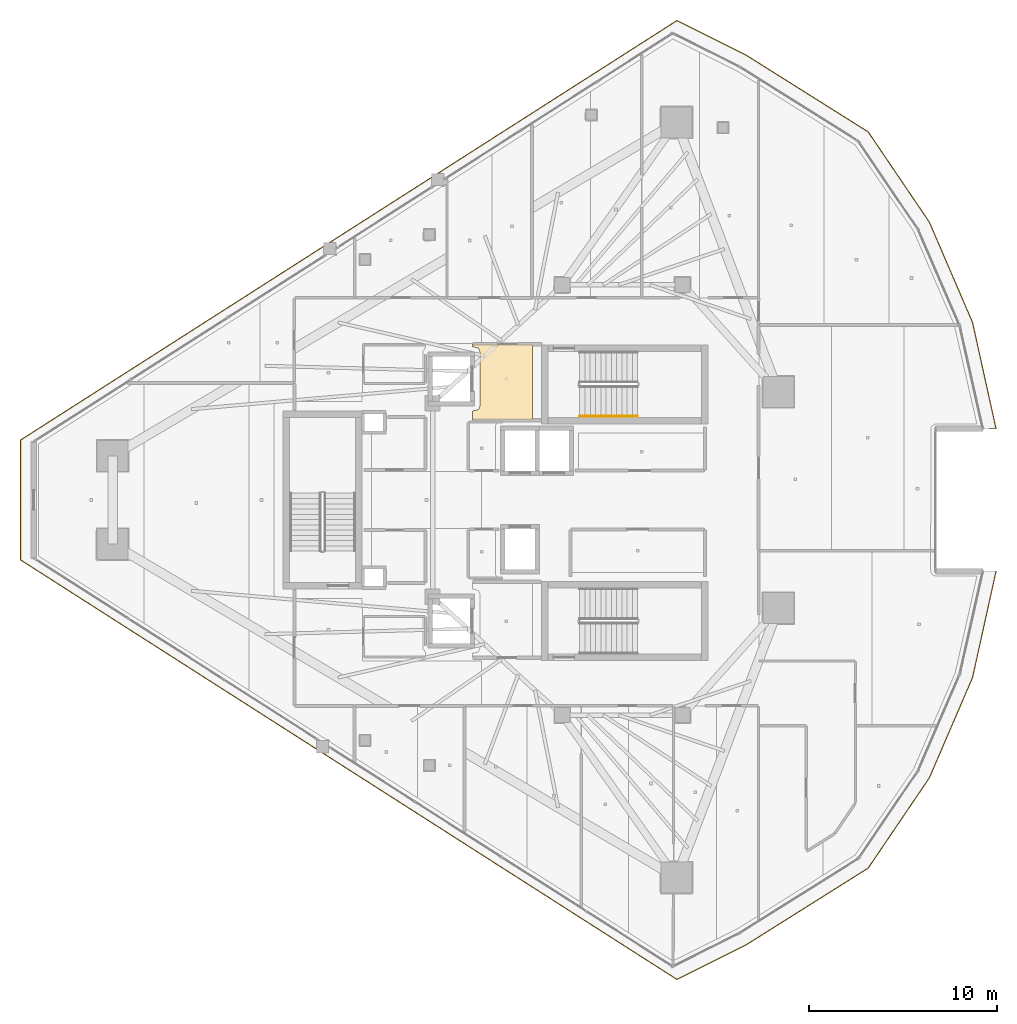
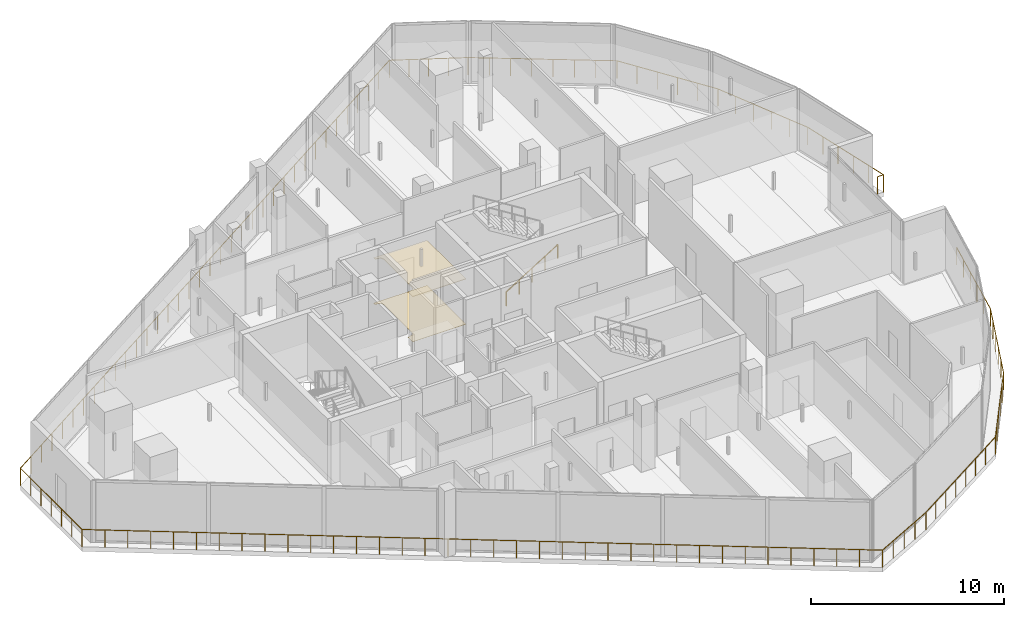
# One storey, part 31 of 33: 2 coverings, 2 railings.
"""IFC4 building model written with IfcOpenShell, lengths in metres."""

from ifc_helpers import new_model, si_unit, direction, frame, origin, origin_2d, place, context, subcontext, project, spatial, polyline, circle, outline, extrude, material, layer, layer_set, type_object, element, save


model = new_model("IFC4")

# Units and contexts
model_context = context("Model", 3, precision=1e-05, world=origin(), true_north=direction((0.0, 1.0)))
body_context = subcontext(model_context, "Body", "Model", "MODEL_VIEW")
ifc_project = project(units=[si_unit("LENGTHUNIT", "METRE"), si_unit("AREAUNIT", "SQUARE_METRE"), si_unit("VOLUMEUNIT", "CUBIC_METRE"), si_unit("PLANEANGLEUNIT", "RADIAN"), si_unit("MASSUNIT", "GRAM", prefix="KILO")], contexts=[model_context])

# Site, building, storey
site_placement = place(None, origin())
site = spatial("IfcSite", under=ifc_project, at=site_placement, CompositionType="ELEMENT")
building_placement = place(site_placement, origin())
building = spatial("IfcBuilding", under=site, at=building_placement, Name="Qorvath Tower", CompositionType="ELEMENT")
storey_placement = place(building_placement, frame((0.0, 0.0, 280.800048828125)))
storey = spatial("IfcBuildingStorey", under=building, at=storey_placement, Name="L65", CompositionType="ELEMENT", Elevation=280.800048828125)

# Coverings
ifc_material_1 = material(Name="Acoustic mineral fibre ceiling tile", Category="gypsum")
ifc_layer_1 = layer(ifc_material_1, 0.030029296875)
ifc_layer_set_1 = layer_set([ifc_layer_1], Name="COV-CEIL")
covering_type_1 = type_object("IfcCoveringType", Name="COV-CEIL", PredefinedType="CEILING", material=ifc_layer_set_1)
covering_1_placement = place(storey_placement, frame((0.0, 0.0, 2.849853515625)))
element("IfcCovering", 1, at=covering_1_placement, inside=storey, type_object=covering_type_1, Name="L65 Suspended Acoustic Ceiling 001", PredefinedType="CEILING", context=body_context, shape_type="SweptSolid", body=[
    extrude(outline(polyline([(-25.18994140625, 4.2548828125), (-25.18994140625, 8.294921875), (-28.375, 8.294921875), (-28.375, 8.159912109375), (-28.063232421875, 8.086669921875), (-27.989990234375, 7.909912109375), (-27.989990234375, 4.989990234375), (-28.063232421875, 4.813232421875), (-28.375, 4.739990234375), (-28.375, 4.2548828125), (-25.18994140625, 4.2548828125)])), origin(), (0.0, 0.0, 1.0), 0.030029296875),
])
ifc_material_2 = material(Name="Polished epoxy terrazzo flooring", Category="concrete")
ifc_layer_2 = layer(ifc_material_2, 0.02001953125)
ifc_layer_set_2 = layer_set([ifc_layer_2], Name="COV-FLOOR-TRZ")
covering_type_2 = type_object("IfcCoveringType", Name="COV-FLOOR-TRZ", PredefinedType="FLOORING", material=ifc_layer_set_2)
covering_2_placement = place(storey_placement, origin())
element("IfcCovering", 2, at=covering_2_placement, inside=storey, type_object=covering_type_2, Name="L65 Floor Finish 001", PredefinedType="FLOORING", context=body_context, shape_type="SweptSolid", body=[
    extrude(outline(polyline([(-25.18994140625, 4.2548828125), (-25.18994140625, 8.294921875), (-28.375, 8.294921875), (-28.375, 8.159912109375), (-28.063232421875, 8.086669921875), (-27.989990234375, 7.909912109375), (-27.989990234375, 4.989990234375), (-28.063232421875, 4.813232421875), (-28.375, 4.739990234375), (-28.375, 4.2548828125), (-25.18994140625, 4.2548828125)])), origin(), (0.0, 0.0, 1.0), 0.014892578125),
])

# Railings
ifc_material_3 = material(Name="Laminated safety glass and stainless steel AISI 316", Category="steel")
railing_type_1 = type_object("IfcRailingType", Name="RL-EXT-GRD", PredefinedType="GUARDRAIL", material=ifc_material_3)
railing_1_placement = place(storey_placement, frame((-0.5029296875, -3.790771484375, 0.0)))
element("IfcRailing", 3, at=railing_1_placement, inside=storey, type_object=railing_type_1, Name="Loggia Perimeter Guardrail L65-1.1", PredefinedType="GUARDRAIL", context=body_context, shape_type="SweptSolid", body=[
    extrude(circle(Radius=0.02392578125, at=origin_2d()), frame((0.0, 0.0, 1.09619140625), z_axis=(-0.216053085193, -0.97638161821, 0.0), x_axis=(0.97638161821, -0.216053085193, 0.0)), (0.0, 0.0, 1.0), 5.804931640625),
    extrude(circle(Radius=0.02392578125, at=origin_2d()), frame((-1.254150390625, -5.667724609375, 1.09619140625), z_axis=(-0.39549727844, -0.918467148431, 0.0), x_axis=(0.918467148431, -0.39549727844, 0.0)), (0.0, 0.0, 1.0), 5.80517578125),
    extrude(circle(Radius=0.02392578125, at=origin_2d()), frame((-3.550048828125, -10.99951171875, 1.09619140625), z_axis=(-0.560828616458, -0.827931919279, 0.0), x_axis=(0.827931919279, -0.560828616458, 0.0)), (0.0, 0.0, 1.0), 5.804931640625),
    extrude(circle(Radius=0.02392578125, at=origin_2d()), frame((-6.8056640625, -15.8056640625, 1.09619140625), z_axis=(-0.846504202931, -0.532382038033, 0.0), x_axis=(0.532382038033, -0.846504202931, 0.0)), (0.0, 0.0, 1.0), 7.71923828125),
    extrude(circle(Radius=0.02392578125, at=origin_2d()), frame((-13.340087890625, -19.915283203125, 1.09619140625), z_axis=(-0.894403239972, -0.447261494349, 0.0), x_axis=(0.447261494349, -0.894403239972, 0.0)), (0.0, 0.0, 1.0), 4.07763671875),
    extrude(circle(Radius=0.02392578125, at=origin_2d()), frame((-16.987060546875, -21.739013671875, 1.09619140625), z_axis=(-0.842602711226, 0.538535672945, 0.0), x_axis=(-0.538535672945, -0.842602711226, 0.0)), (0.0, 0.0, 1.0), 41.480224609375),
    extrude(circle(Radius=0.02392578125, at=origin_2d()), frame((-51.9384765625, 0.599609375, 1.09619140625), z_axis=(0.0, 1.0, 0.0), x_axis=(-1.0, 0.0, 0.0)), (0.0, 0.0, 1.0), 6.38232421875),
    extrude(circle(Radius=0.02392578125, at=origin_2d()), frame((-51.9384765625, 6.98193359375, 1.09619140625), z_axis=(0.842602711226, 0.538535672945, 0.0), x_axis=(-0.538535672945, 0.842602711226, 0.0)), (0.0, 0.0, 1.0), 41.480224609375),
    extrude(circle(Radius=0.02392578125, at=origin_2d()), frame((-16.987060546875, 29.320556640625, 1.09619140625), z_axis=(0.894403239972, -0.447261494349, 0.0), x_axis=(0.447261494349, 0.894403239972, 0.0)), (0.0, 0.0, 1.0), 4.07763671875),
    extrude(circle(Radius=0.02392578125, at=origin_2d()), frame((-13.340087890625, 27.496826171875, 1.09619140625), z_axis=(0.846504202931, -0.532382038033, 0.0), x_axis=(0.532382038033, 0.846504202931, 0.0)), (0.0, 0.0, 1.0), 7.71923828125),
    extrude(circle(Radius=0.02392578125, at=origin_2d()), frame((-6.8056640625, 23.38720703125, 1.09619140625), z_axis=(0.560828616458, -0.827931919279, 0.0), x_axis=(0.827931919279, 0.560828616458, 0.0)), (0.0, 0.0, 1.0), 5.804931640625),
    extrude(circle(Radius=0.02392578125, at=origin_2d()), frame((-3.550048828125, 18.5810546875, 1.09619140625), z_axis=(0.39549727844, -0.918467148431, 0.0), x_axis=(0.918467148431, 0.39549727844, 0.0)), (0.0, 0.0, 1.0), 5.80517578125),
    extrude(circle(Radius=0.02392578125, at=origin_2d()), frame((-1.254150390625, 13.249267578125, 1.09619140625), z_axis=(0.216053085193, -0.97638161821, 0.0), x_axis=(0.97638161821, 0.216053085193, 0.0)), (0.0, 0.0, 1.0), 5.804931640625),
    extrude(circle(Radius=0.02392578125, at=origin_2d()), frame((0.0, 7.58154296875, 1.09619140625), z_axis=(-1.0, 0.0, 0.0), x_axis=(0.0, -1.0, 0.0)), (0.0, 0.0, 1.0), 0.35400390625),
    extrude(circle(Radius=0.02099609375, at=origin_2d()), origin(), (0.0, 0.0, 1.0), 1.072021484375),
    extrude(circle(Radius=0.02099609375, at=origin_2d()), frame((-0.250732421875, -1.133544921875, 0.0)), (0.0, 0.0, 1.0), 1.072021484375),
    extrude(circle(Radius=0.02099609375, at=origin_2d()), frame((-0.501708984375, -2.26708984375, 0.0)), (0.0, 0.0, 1.0), 1.072021484375),
    extrude(circle(Radius=0.02099609375, at=origin_2d()), frame((-0.75244140625, -3.400634765625, 0.0)), (0.0, 0.0, 1.0), 1.072021484375),
    extrude(circle(Radius=0.02099609375, at=origin_2d()), frame((-1.00341796875, -4.5341796875, 0.0)), (0.0, 0.0, 1.0), 1.072021484375),
    extrude(circle(Radius=0.02099609375, at=origin_2d()), frame((-1.254150390625, -5.667724609375, 0.0)), (0.0, 0.0, 1.0), 1.072021484375),
    extrude(circle(Radius=0.02099609375, at=origin_2d()), frame((-1.71337890625, -6.734130859375, 0.0)), (0.0, 0.0, 1.0), 1.072021484375),
    extrude(circle(Radius=0.02099609375, at=origin_2d()), frame((-2.172607421875, -7.800537109375, 0.0)), (0.0, 0.0, 1.0), 1.072021484375),
    extrude(circle(Radius=0.02099609375, at=origin_2d()), frame((-2.631591796875, -8.86669921875, 0.0)), (0.0, 0.0, 1.0), 1.072021484375),
    extrude(circle(Radius=0.02099609375, at=origin_2d()), frame((-3.0908203125, -9.93310546875, 0.0)), (0.0, 0.0, 1.0), 1.072021484375),
    extrude(circle(Radius=0.02099609375, at=origin_2d()), frame((-3.550048828125, -10.99951171875, 0.0)), (0.0, 0.0, 1.0), 1.072021484375),
    extrude(circle(Radius=0.02099609375, at=origin_2d()), frame((-4.201171875, -11.960693359375, 0.0)), (0.0, 0.0, 1.0), 1.072021484375),
    extrude(circle(Radius=0.02099609375, at=origin_2d()), frame((-4.852294921875, -12.921875, 0.0)), (0.0, 0.0, 1.0), 1.072021484375),
    extrude(circle(Radius=0.02099609375, at=origin_2d()), frame((-5.50341796875, -13.88330078125, 0.0)), (0.0, 0.0, 1.0), 1.072021484375),
    extrude(circle(Radius=0.02099609375, at=origin_2d()), frame((-6.154541015625, -14.844482421875, 0.0)), (0.0, 0.0, 1.0), 1.072021484375),
    extrude(circle(Radius=0.02099609375, at=origin_2d()), frame((-6.8056640625, -15.8056640625, 0.0)), (0.0, 0.0, 1.0), 1.072021484375),
    extrude(circle(Radius=0.02099609375, at=origin_2d()), frame((-7.7392578125, -16.392822265625, 0.0)), (0.0, 0.0, 1.0), 1.072021484375),
    extrude(circle(Radius=0.02099609375, at=origin_2d()), frame((-8.672607421875, -16.979736328125, 0.0)), (0.0, 0.0, 1.0), 1.072021484375),
    extrude(circle(Radius=0.02099609375, at=origin_2d()), frame((-9.606201171875, -17.56689453125, 0.0)), (0.0, 0.0, 1.0), 1.072021484375),
    extrude(circle(Radius=0.02099609375, at=origin_2d()), frame((-10.53955078125, -18.154052734375, 0.0)), (0.0, 0.0, 1.0), 1.072021484375),
    extrude(circle(Radius=0.02099609375, at=origin_2d()), frame((-11.47314453125, -18.7412109375, 0.0)), (0.0, 0.0, 1.0), 1.072021484375),
    extrude(circle(Radius=0.02099609375, at=origin_2d()), frame((-12.406494140625, -19.328125, 0.0)), (0.0, 0.0, 1.0), 1.072021484375),
    extrude(circle(Radius=0.02099609375, at=origin_2d()), frame((-13.340087890625, -19.915283203125, 0.0)), (0.0, 0.0, 1.0), 1.072021484375),
    extrude(circle(Radius=0.02099609375, at=origin_2d()), frame((-14.251953125, -20.37109375, 0.0)), (0.0, 0.0, 1.0), 1.072021484375),
    extrude(circle(Radius=0.02099609375, at=origin_2d()), frame((-15.16357421875, -20.8271484375, 0.0)), (0.0, 0.0, 1.0), 1.072021484375),
    extrude(circle(Radius=0.02099609375, at=origin_2d()), frame((-16.0751953125, -21.283203125, 0.0)), (0.0, 0.0, 1.0), 1.072021484375),
    extrude(circle(Radius=0.02099609375, at=origin_2d()), frame((-16.987060546875, -21.739013671875, 0.0)), (0.0, 0.0, 1.0), 1.072021484375),
    extrude(circle(Radius=0.02099609375, at=origin_2d()), frame((-17.985595703125, -21.100830078125, 0.0)), (0.0, 0.0, 1.0), 1.072021484375),
    extrude(circle(Radius=0.02099609375, at=origin_2d()), frame((-18.984375, -20.46240234375, 0.0)), (0.0, 0.0, 1.0), 1.072021484375),
    extrude(circle(Radius=0.02099609375, at=origin_2d()), frame((-19.98291015625, -19.82421875, 0.0)), (0.0, 0.0, 1.0), 1.072021484375),
    extrude(circle(Radius=0.02099609375, at=origin_2d()), frame((-20.9814453125, -19.18603515625, 0.0)), (0.0, 0.0, 1.0), 1.072021484375),
    extrude(circle(Radius=0.02099609375, at=origin_2d()), frame((-21.980224609375, -18.5478515625, 0.0)), (0.0, 0.0, 1.0), 1.072021484375),
    extrude(circle(Radius=0.02099609375, at=origin_2d()), frame((-22.978759765625, -17.909423828125, 0.0)), (0.0, 0.0, 1.0), 1.072021484375),
    extrude(circle(Radius=0.02099609375, at=origin_2d()), frame((-23.977294921875, -17.271240234375, 0.0)), (0.0, 0.0, 1.0), 1.072021484375),
    extrude(circle(Radius=0.02099609375, at=origin_2d()), frame((-24.97607421875, -16.633056640625, 0.0)), (0.0, 0.0, 1.0), 1.072021484375),
    extrude(circle(Radius=0.02099609375, at=origin_2d()), frame((-25.974609375, -15.994873046875, 0.0)), (0.0, 0.0, 1.0), 1.072021484375),
    extrude(circle(Radius=0.02099609375, at=origin_2d()), frame((-26.97314453125, -15.3564453125, 0.0)), (0.0, 0.0, 1.0), 1.072021484375),
    extrude(circle(Radius=0.02099609375, at=origin_2d()), frame((-27.9716796875, -14.71826171875, 0.0)), (0.0, 0.0, 1.0), 1.072021484375),
    extrude(circle(Radius=0.02099609375, at=origin_2d()), frame((-28.970458984375, -14.080078125, 0.0)), (0.0, 0.0, 1.0), 1.072021484375),
    extrude(circle(Radius=0.02099609375, at=origin_2d()), frame((-29.968994140625, -13.44189453125, 0.0)), (0.0, 0.0, 1.0), 1.072021484375),
    extrude(circle(Radius=0.02099609375, at=origin_2d()), frame((-30.967529296875, -12.803466796875, 0.0)), (0.0, 0.0, 1.0), 1.072021484375),
    extrude(circle(Radius=0.02099609375, at=origin_2d()), frame((-31.96630859375, -12.165283203125, 0.0)), (0.0, 0.0, 1.0), 1.072021484375),
    extrude(circle(Radius=0.02099609375, at=origin_2d()), frame((-32.96484375, -11.527099609375, 0.0)), (0.0, 0.0, 1.0), 1.072021484375),
    extrude(circle(Radius=0.02099609375, at=origin_2d()), frame((-33.96337890625, -10.888916015625, 0.0)), (0.0, 0.0, 1.0), 1.072021484375),
    extrude(circle(Radius=0.02099609375, at=origin_2d()), frame((-34.962158203125, -10.25048828125, 0.0)), (0.0, 0.0, 1.0), 1.072021484375),
    extrude(circle(Radius=0.02099609375, at=origin_2d()), frame((-35.960693359375, -9.6123046875, 0.0)), (0.0, 0.0, 1.0), 1.072021484375),
    extrude(circle(Radius=0.02099609375, at=origin_2d()), frame((-36.959228515625, -8.97412109375, 0.0)), (0.0, 0.0, 1.0), 1.072021484375),
    extrude(circle(Radius=0.02099609375, at=origin_2d()), frame((-37.9580078125, -8.3359375, 0.0)), (0.0, 0.0, 1.0), 1.072021484375),
    extrude(circle(Radius=0.02099609375, at=origin_2d()), frame((-38.95654296875, -7.697509765625, 0.0)), (0.0, 0.0, 1.0), 1.072021484375),
    extrude(circle(Radius=0.02099609375, at=origin_2d()), frame((-39.955078125, -7.059326171875, 0.0)), (0.0, 0.0, 1.0), 1.072021484375),
    extrude(circle(Radius=0.02099609375, at=origin_2d()), frame((-40.953857421875, -6.421142578125, 0.0)), (0.0, 0.0, 1.0), 1.072021484375),
    extrude(circle(Radius=0.02099609375, at=origin_2d()), frame((-41.952392578125, -5.782958984375, 0.0)), (0.0, 0.0, 1.0), 1.072021484375),
    extrude(circle(Radius=0.02099609375, at=origin_2d()), frame((-42.950927734375, -5.14453125, 0.0)), (0.0, 0.0, 1.0), 1.072021484375),
    extrude(circle(Radius=0.02099609375, at=origin_2d()), frame((-43.949462890625, -4.50634765625, 0.0)), (0.0, 0.0, 1.0), 1.072021484375),
    extrude(circle(Radius=0.02099609375, at=origin_2d()), frame((-44.9482421875, -3.8681640625, 0.0)), (0.0, 0.0, 1.0), 1.072021484375),
    extrude(circle(Radius=0.02099609375, at=origin_2d()), frame((-45.94677734375, -3.22998046875, 0.0)), (0.0, 0.0, 1.0), 1.072021484375),
    extrude(circle(Radius=0.02099609375, at=origin_2d()), frame((-46.9453125, -2.591552734375, 0.0)), (0.0, 0.0, 1.0), 1.072021484375),
    extrude(circle(Radius=0.02099609375, at=origin_2d()), frame((-47.944091796875, -1.953369140625, 0.0)), (0.0, 0.0, 1.0), 1.072021484375),
    extrude(circle(Radius=0.02099609375, at=origin_2d()), frame((-48.942626953125, -1.315185546875, 0.0)), (0.0, 0.0, 1.0), 1.072021484375),
    extrude(circle(Radius=0.02099609375, at=origin_2d()), frame((-49.941162109375, -0.677001953125, 0.0)), (0.0, 0.0, 1.0), 1.072021484375),
    extrude(circle(Radius=0.02099609375, at=origin_2d()), frame((-50.93994140625, -0.03857421875, 0.0)), (0.0, 0.0, 1.0), 1.072021484375),
    extrude(circle(Radius=0.02099609375, at=origin_2d()), frame((-51.9384765625, 0.599609375, 0.0)), (0.0, 0.0, 1.0), 1.072021484375),
    extrude(circle(Radius=0.02099609375, at=origin_2d()), frame((-51.9384765625, 1.663330078125, 0.0)), (0.0, 0.0, 1.0), 1.072021484375),
    extrude(circle(Radius=0.02099609375, at=origin_2d()), frame((-51.9384765625, 2.72705078125, 0.0)), (0.0, 0.0, 1.0), 1.072021484375),
    extrude(circle(Radius=0.02099609375, at=origin_2d()), frame((-51.9384765625, 3.790771484375, 0.0)), (0.0, 0.0, 1.0), 1.072021484375),
    extrude(circle(Radius=0.02099609375, at=origin_2d()), frame((-51.9384765625, 4.8544921875, 0.0)), (0.0, 0.0, 1.0), 1.072021484375),
    extrude(circle(Radius=0.02099609375, at=origin_2d()), frame((-51.9384765625, 5.918212890625, 0.0)), (0.0, 0.0, 1.0), 1.072021484375),
    extrude(circle(Radius=0.02099609375, at=origin_2d()), frame((-51.9384765625, 6.98193359375, 0.0)), (0.0, 0.0, 1.0), 1.072021484375),
    extrude(circle(Radius=0.02099609375, at=origin_2d()), frame((-50.93994140625, 7.6201171875, 0.0)), (0.0, 0.0, 1.0), 1.072021484375),
    extrude(circle(Radius=0.02099609375, at=origin_2d()), frame((-49.941162109375, 8.258544921875, 0.0)), (0.0, 0.0, 1.0), 1.072021484375),
    extrude(circle(Radius=0.02099609375, at=origin_2d()), frame((-48.942626953125, 8.896728515625, 0.0)), (0.0, 0.0, 1.0), 1.072021484375),
    extrude(circle(Radius=0.02099609375, at=origin_2d()), frame((-47.944091796875, 9.534912109375, 0.0)), (0.0, 0.0, 1.0), 1.072021484375),
    extrude(circle(Radius=0.02099609375, at=origin_2d()), frame((-46.9453125, 10.173095703125, 0.0)), (0.0, 0.0, 1.0), 1.072021484375),
    extrude(circle(Radius=0.02099609375, at=origin_2d()), frame((-45.94677734375, 10.8115234375, 0.0)), (0.0, 0.0, 1.0), 1.072021484375),
    extrude(circle(Radius=0.02099609375, at=origin_2d()), frame((-44.9482421875, 11.44970703125, 0.0)), (0.0, 0.0, 1.0), 1.072021484375),
    extrude(circle(Radius=0.02099609375, at=origin_2d()), frame((-43.949462890625, 12.087890625, 0.0)), (0.0, 0.0, 1.0), 1.072021484375),
    extrude(circle(Radius=0.02099609375, at=origin_2d()), frame((-42.950927734375, 12.72607421875, 0.0)), (0.0, 0.0, 1.0), 1.072021484375),
    extrude(circle(Radius=0.02099609375, at=origin_2d()), frame((-41.952392578125, 13.364501953125, 0.0)), (0.0, 0.0, 1.0), 1.072021484375),
    extrude(circle(Radius=0.02099609375, at=origin_2d()), frame((-40.953857421875, 14.002685546875, 0.0)), (0.0, 0.0, 1.0), 1.072021484375),
    extrude(circle(Radius=0.02099609375, at=origin_2d()), frame((-39.955078125, 14.640869140625, 0.0)), (0.0, 0.0, 1.0), 1.072021484375),
    extrude(circle(Radius=0.02099609375, at=origin_2d()), frame((-38.95654296875, 15.279052734375, 0.0)), (0.0, 0.0, 1.0), 1.072021484375),
    extrude(circle(Radius=0.02099609375, at=origin_2d()), frame((-37.9580078125, 15.91748046875, 0.0)), (0.0, 0.0, 1.0), 1.072021484375),
    extrude(circle(Radius=0.02099609375, at=origin_2d()), frame((-36.959228515625, 16.5556640625, 0.0)), (0.0, 0.0, 1.0), 1.072021484375),
    extrude(circle(Radius=0.02099609375, at=origin_2d()), frame((-35.960693359375, 17.19384765625, 0.0)), (0.0, 0.0, 1.0), 1.072021484375),
    extrude(circle(Radius=0.02099609375, at=origin_2d()), frame((-34.962158203125, 17.83203125, 0.0)), (0.0, 0.0, 1.0), 1.072021484375),
    extrude(circle(Radius=0.02099609375, at=origin_2d()), frame((-33.96337890625, 18.470458984375, 0.0)), (0.0, 0.0, 1.0), 1.072021484375),
    extrude(circle(Radius=0.02099609375, at=origin_2d()), frame((-32.96484375, 19.108642578125, 0.0)), (0.0, 0.0, 1.0), 1.072021484375),
    extrude(circle(Radius=0.02099609375, at=origin_2d()), frame((-31.96630859375, 19.746826171875, 0.0)), (0.0, 0.0, 1.0), 1.072021484375),
    extrude(circle(Radius=0.02099609375, at=origin_2d()), frame((-30.967529296875, 20.385009765625, 0.0)), (0.0, 0.0, 1.0), 1.072021484375),
    extrude(circle(Radius=0.02099609375, at=origin_2d()), frame((-29.968994140625, 21.0234375, 0.0)), (0.0, 0.0, 1.0), 1.072021484375),
    extrude(circle(Radius=0.02099609375, at=origin_2d()), frame((-28.970458984375, 21.66162109375, 0.0)), (0.0, 0.0, 1.0), 1.072021484375),
    extrude(circle(Radius=0.02099609375, at=origin_2d()), frame((-27.9716796875, 22.2998046875, 0.0)), (0.0, 0.0, 1.0), 1.072021484375),
    extrude(circle(Radius=0.02099609375, at=origin_2d()), frame((-26.97314453125, 22.93798828125, 0.0)), (0.0, 0.0, 1.0), 1.072021484375),
    extrude(circle(Radius=0.02099609375, at=origin_2d()), frame((-25.974609375, 23.576416015625, 0.0)), (0.0, 0.0, 1.0), 1.072021484375),
    extrude(circle(Radius=0.02099609375, at=origin_2d()), frame((-24.97607421875, 24.214599609375, 0.0)), (0.0, 0.0, 1.0), 1.072021484375),
    extrude(circle(Radius=0.02099609375, at=origin_2d()), frame((-23.977294921875, 24.852783203125, 0.0)), (0.0, 0.0, 1.0), 1.072021484375),
    extrude(circle(Radius=0.02099609375, at=origin_2d()), frame((-22.978759765625, 25.490966796875, 0.0)), (0.0, 0.0, 1.0), 1.072021484375),
    extrude(circle(Radius=0.02099609375, at=origin_2d()), frame((-21.980224609375, 26.12939453125, 0.0)), (0.0, 0.0, 1.0), 1.072021484375),
    extrude(circle(Radius=0.02099609375, at=origin_2d()), frame((-20.9814453125, 26.767578125, 0.0)), (0.0, 0.0, 1.0), 1.072021484375),
    extrude(circle(Radius=0.02099609375, at=origin_2d()), frame((-19.98291015625, 27.40576171875, 0.0)), (0.0, 0.0, 1.0), 1.072021484375),
    extrude(circle(Radius=0.02099609375, at=origin_2d()), frame((-18.984375, 28.0439453125, 0.0)), (0.0, 0.0, 1.0), 1.072021484375),
    extrude(circle(Radius=0.02099609375, at=origin_2d()), frame((-17.985595703125, 28.682373046875, 0.0)), (0.0, 0.0, 1.0), 1.072021484375),
    extrude(circle(Radius=0.02099609375, at=origin_2d()), frame((-16.987060546875, 29.320556640625, 0.0)), (0.0, 0.0, 1.0), 1.072021484375),
    extrude(circle(Radius=0.02099609375, at=origin_2d()), frame((-16.0751953125, 28.86474609375, 0.0)), (0.0, 0.0, 1.0), 1.072021484375),
    extrude(circle(Radius=0.02099609375, at=origin_2d()), frame((-15.16357421875, 28.40869140625, 0.0)), (0.0, 0.0, 1.0), 1.072021484375),
    extrude(circle(Radius=0.02099609375, at=origin_2d()), frame((-14.251953125, 27.95263671875, 0.0)), (0.0, 0.0, 1.0), 1.072021484375),
    extrude(circle(Radius=0.02099609375, at=origin_2d()), frame((-13.340087890625, 27.496826171875, 0.0)), (0.0, 0.0, 1.0), 1.072021484375),
    extrude(circle(Radius=0.02099609375, at=origin_2d()), frame((-12.406494140625, 26.90966796875, 0.0)), (0.0, 0.0, 1.0), 1.072021484375),
    extrude(circle(Radius=0.02099609375, at=origin_2d()), frame((-11.47314453125, 26.32275390625, 0.0)), (0.0, 0.0, 1.0), 1.072021484375),
    extrude(circle(Radius=0.02099609375, at=origin_2d()), frame((-10.53955078125, 25.735595703125, 0.0)), (0.0, 0.0, 1.0), 1.072021484375),
    extrude(circle(Radius=0.02099609375, at=origin_2d()), frame((-9.606201171875, 25.1484375, 0.0)), (0.0, 0.0, 1.0), 1.072021484375),
    extrude(circle(Radius=0.02099609375, at=origin_2d()), frame((-8.672607421875, 24.561279296875, 0.0)), (0.0, 0.0, 1.0), 1.072021484375),
    extrude(circle(Radius=0.02099609375, at=origin_2d()), frame((-7.7392578125, 23.974365234375, 0.0)), (0.0, 0.0, 1.0), 1.072021484375),
    extrude(circle(Radius=0.02099609375, at=origin_2d()), frame((-6.8056640625, 23.38720703125, 0.0)), (0.0, 0.0, 1.0), 1.072021484375),
    extrude(circle(Radius=0.02099609375, at=origin_2d()), frame((-6.154541015625, 22.426025390625, 0.0)), (0.0, 0.0, 1.0), 1.072021484375),
    extrude(circle(Radius=0.02099609375, at=origin_2d()), frame((-5.50341796875, 21.46484375, 0.0)), (0.0, 0.0, 1.0), 1.072021484375),
    extrude(circle(Radius=0.02099609375, at=origin_2d()), frame((-4.852294921875, 20.50341796875, 0.0)), (0.0, 0.0, 1.0), 1.072021484375),
    extrude(circle(Radius=0.02099609375, at=origin_2d()), frame((-4.201171875, 19.542236328125, 0.0)), (0.0, 0.0, 1.0), 1.072021484375),
    extrude(circle(Radius=0.02099609375, at=origin_2d()), frame((-3.550048828125, 18.5810546875, 0.0)), (0.0, 0.0, 1.0), 1.072021484375),
    extrude(circle(Radius=0.02099609375, at=origin_2d()), frame((-3.0908203125, 17.5146484375, 0.0)), (0.0, 0.0, 1.0), 1.072021484375),
    extrude(circle(Radius=0.02099609375, at=origin_2d()), frame((-2.631591796875, 16.4482421875, 0.0)), (0.0, 0.0, 1.0), 1.072021484375),
    extrude(circle(Radius=0.02099609375, at=origin_2d()), frame((-2.172607421875, 15.382080078125, 0.0)), (0.0, 0.0, 1.0), 1.072021484375),
    extrude(circle(Radius=0.02099609375, at=origin_2d()), frame((-1.71337890625, 14.315673828125, 0.0)), (0.0, 0.0, 1.0), 1.072021484375),
    extrude(circle(Radius=0.02099609375, at=origin_2d()), frame((-1.254150390625, 13.249267578125, 0.0)), (0.0, 0.0, 1.0), 1.072021484375),
    extrude(circle(Radius=0.02099609375, at=origin_2d()), frame((-1.00341796875, 12.11572265625, 0.0)), (0.0, 0.0, 1.0), 1.072021484375),
    extrude(circle(Radius=0.02099609375, at=origin_2d()), frame((-0.75244140625, 10.982177734375, 0.0)), (0.0, 0.0, 1.0), 1.072021484375),
    extrude(circle(Radius=0.02099609375, at=origin_2d()), frame((-0.501708984375, 9.8486328125, 0.0)), (0.0, 0.0, 1.0), 1.072021484375),
    extrude(circle(Radius=0.02099609375, at=origin_2d()), frame((-0.250732421875, 8.715087890625, 0.0)), (0.0, 0.0, 1.0), 1.072021484375),
    extrude(circle(Radius=0.02099609375, at=origin_2d()), frame((0.0, 7.58154296875, 0.0)), (0.0, 0.0, 1.0), 1.072021484375),
    extrude(circle(Radius=0.02099609375, at=origin_2d()), frame((-0.35400390625, 7.58154296875, 0.0)), (0.0, 0.0, 1.0), 1.072021484375),
])
ifc_material_4 = material(Name="Brushed stainless steel AISI 304", Category="steel")
railing_type_2 = type_object("IfcRailingType", Name="RL-STR-HND", PredefinedType="HANDRAIL", material=ifc_material_4)
railing_2_placement = place(storey_placement, frame((-22.669921875, 4.449951171875, 0.175048828125)))
element("IfcRailing", 4, at=railing_2_placement, inside=storey, type_object=railing_type_2, Name="L65 TS1 stair handrail 1", PredefinedType="HANDRAIL", context=body_context, shape_type="SweptSolid", body=[
    extrude(circle(Radius=0.02392578125, at=origin_2d()), frame((0.0, 0.0, 0.8759765625), z_axis=(0.848009633417, 0.0, 0.529980812513), x_axis=(0.0, 1.0, 0.0)), (0.0, 0.0, 1.0), 3.6318359375),
    extrude(circle(Radius=0.02099609375, at=origin_2d()), origin(), (0.0, 0.0, 1.0), 0.851806640625),
    extrude(circle(Radius=0.02099609375, at=origin_2d()), frame((0.77001953125, 0.0, 0.481201171875)), (0.0, 0.0, 1.0), 0.851806640625),
    extrude(circle(Radius=0.02099609375, at=origin_2d()), frame((1.5400390625, 0.0, 0.96240234375)), (0.0, 0.0, 1.0), 0.851806640625),
    extrude(circle(Radius=0.02099609375, at=origin_2d()), frame((2.309814453125, 0.0, 1.443603515625)), (0.0, 0.0, 1.0), 0.851806640625),
    extrude(circle(Radius=0.02099609375, at=origin_2d()), frame((3.079833984375, 0.0, 1.9248046875)), (0.0, 0.0, 1.0), 0.851806640625),
])

save(model, "model.ifc")
